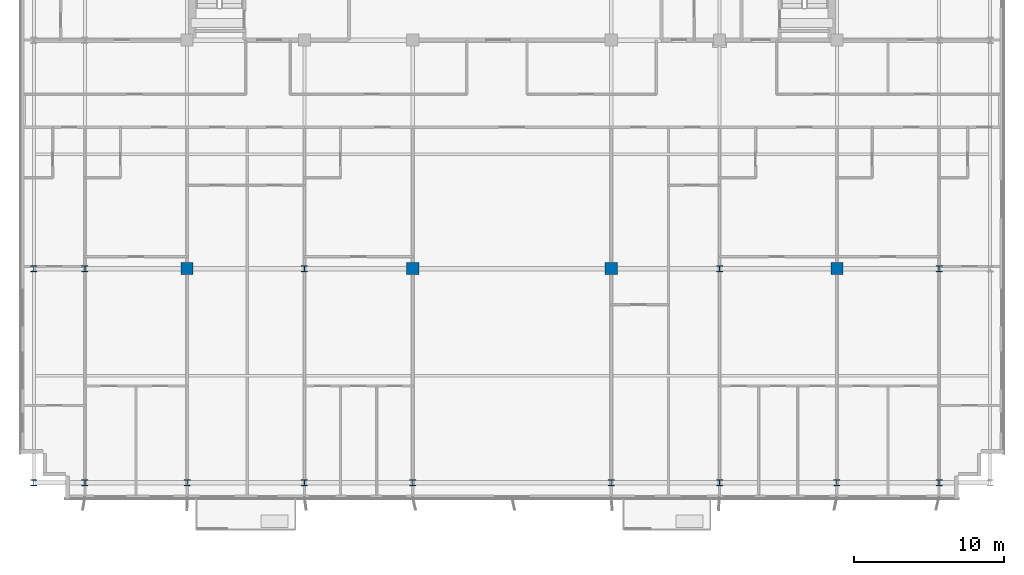
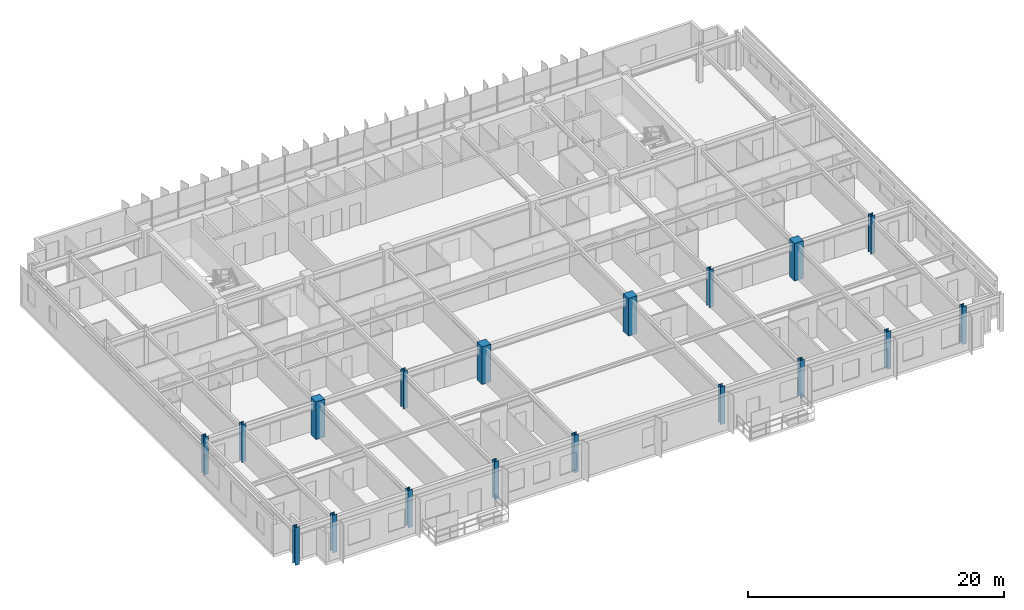
# One storey, part 1 of 22: 18 columns.
"""IFC4 building model written with IfcOpenShell, lengths in metres."""

from ifc_helpers import new_model, si_unit, direction, frame, origin, origin_2d, place, context, subcontext, project, spatial, rectangle, i_section, extrude, source, transform, mapped, material, material_profile, profile_set, type_object, element, save


model = new_model("IFC4")

# Units and contexts
model_context = context("Model", 3, precision=1e-05, world=origin(), true_north=direction((0.0, 1.0)))
body_context = subcontext(model_context, "Body", "Model", "MODEL_VIEW")
ifc_project = project(units=[si_unit("LENGTHUNIT", "METRE"), si_unit("AREAUNIT", "SQUARE_METRE"), si_unit("VOLUMEUNIT", "CUBIC_METRE"), si_unit("PLANEANGLEUNIT", "RADIAN"), si_unit("MASSUNIT", "GRAM", prefix="KILO")], contexts=[model_context])

# Site, building, storey
site_placement = place(None, origin())
site = spatial("IfcSite", under=ifc_project, at=site_placement, CompositionType="ELEMENT")
building_placement = place(site_placement, origin())
building = spatial("IfcBuilding", under=site, at=building_placement, Name="Trelvane Seafront Commons", CompositionType="ELEMENT")
storey_placement = place(building_placement, frame((0.0, 0.0, 92.5)))
storey = spatial("IfcBuildingStorey", under=building, at=storey_placement, Name="L23", CompositionType="ELEMENT", Elevation=92.5)

# Columns
ifc_material_1 = material(Name="Steel SM355 (S355)", Category="steel")
ifc_material_profile_1 = material_profile(ifc_material_1, i_section(OverallWidth=0.39990234375, OverallDepth=0.39990234375, WebThickness=0.02197265625, FlangeThickness=0.034912109375, at=origin_2d()), Name="HD-400x400x22x35")
ifc_profile_set_1 = profile_set([ifc_material_profile_1], Name="Steel SM355 (S355)")
column_type_1 = type_object("IfcColumnType", Name="STR-COL-HD400", PredefinedType="COLUMN", material=ifc_profile_set_1)
shared_shape_1 = source(origin(), body_context, "Body", "SweptSolid", [
    extrude(i_section(OverallWidth=0.39990234375, OverallDepth=0.39990234375, WebThickness=0.02197265625, FlangeThickness=0.034912109375, at=origin_2d()), origin(), (0.0, 0.0, 1.0), 3.60009765625),
])
for number, where, z_axis, x_axis, name in (
    (1, (5.39990234375, 3.949951171875, 0.0), (0.0, 0.0, 1.0), (1.0, 0.0, 0.0), "L23 Column TC-S5.4"),
    (2, (5.39990234375, 18.199951171875, 0.0), (0.0, 0.0, 1.0), (1.0, 0.0, 0.0), "L23 Column TC-M5.4"),
    (3, (8.800048828125, 3.949951171875, 0.0), (0.0, 0.0, 1.0), (1.0, 0.0, 0.0), "L23 Column TC-S8.8"),
    (4, (8.800048828125, 18.199951171875, 0.0), (0.0, 0.0, 1.0), (1.0, 0.0, 0.0), "L23 Column TC-M8.8"),
    (5, (15.60009765625, 3.949951171875, 0.0), (0.0, 0.0, 1.0), (1.0, 0.0, 0.0), "L23 Column TC-S15.6"),
    (6, (23.39990234375, 3.949951171875, 0.0), (0.0, 0.0, 1.0), (1.0, 0.0, 0.0), "L23 Column TC-S23.4"),
    (7, (23.39990234375, 18.199951171875, 0.0), (0.0, 0.0, 1.0), (1.0, 0.0, 0.0), "L23 Column TC-M23.4"),
    (8, (30.60009765625, 3.949951171875, 0.0), (0.0, 0.0, 1.0), (1.0, 0.0, 0.0), "L23 Column TC-S30.6"),
    (9, (43.800048828125, 3.949951171875, 0.0), (0.0, 0.0, 1.0), (1.0, 0.0, 0.0), "L23 Column TC-S43.8"),
    (10, (51.0, 3.949951171875, 0.0), (0.0, 0.0, 1.0), (1.0, 0.0, 0.0), "L23 Column TC-S51.0"),
    (11, (51.0, 18.199951171875, 0.0), (0.0, 0.0, 1.0), (1.0, 0.0, 0.0), "L23 Column TC-M51.0"),
    (12, (58.800048828125, 3.949951171875, 0.0), (0.0, 0.0, 1.0), (1.0, 0.0, 0.0), "L23 Column TC-S58.8"),
    (13, (65.60009765625, 3.949951171875, 0.0), (0.0, 0.0, 1.0), (1.0, 0.0, 0.0), "L23 Column TC-S65.6"),
    (14, (65.60009765625, 18.199951171875, 0.0), (0.0, 0.0, 1.0), (1.0, 0.0, 0.0), "L23 Column TC-M65.6"),
):
    element("IfcColumn", number, at=place(storey_placement, frame(where, z_axis=z_axis, x_axis=x_axis)), inside=storey, type_object=column_type_1, Name=name, PredefinedType="COLUMN", context=body_context, shape_type="MappedRepresentation", body=[
        mapped(shared_shape_1, transform((0.0, 0.0, 0.0), x_axis=(1.0, 0.0, 0.0), y_axis=(0.0, 1.0, 0.0), z_axis=(0.0, 0.0, 1.0), scale=1.0)),
    ])
ifc_material_2 = material(Name="Concrete C60/75", Category="concrete")
ifc_material_profile_2 = material_profile(ifc_material_2, rectangle(XDim=0.800048828125, YDim=0.800048828125, at=origin_2d()), Name="RC-800x800")
ifc_profile_set_2 = profile_set([ifc_material_profile_2], Name="Concrete C60/75")
column_type_2 = type_object("IfcColumnType", Name="STR-COL-RC800", PredefinedType="COLUMN", material=ifc_profile_set_2)
shared_shape_2 = source(origin(), body_context, "Body", "SweptSolid", [
    extrude(rectangle(XDim=0.800048828125, YDim=0.800048828125, at=origin_2d()), origin(), (0.0, 0.0, 1.0), 3.60009765625),
])
for number, where, z_axis, x_axis, name in (
    (15, (15.60009765625, 18.199951171875, 0.0), (0.0, 0.0, 1.0), (1.0, 0.0, 0.0), "L23 Column TC-M15.6"),
    (16, (30.60009765625, 18.199951171875, 0.0), (0.0, 0.0, 1.0), (1.0, 0.0, 0.0), "L23 Column TC-M30.6"),
    (17, (43.800048828125, 18.199951171875, 0.0), (0.0, 0.0, 1.0), (1.0, 0.0, 0.0), "L23 Column TC-M43.8"),
    (18, (58.800048828125, 18.199951171875, 0.0), (0.0, 0.0, 1.0), (1.0, 0.0, 0.0), "L23 Column TC-M58.8"),
):
    element("IfcColumn", number, at=place(storey_placement, frame(where, z_axis=z_axis, x_axis=x_axis)), inside=storey, type_object=column_type_2, Name=name, PredefinedType="COLUMN", context=body_context, shape_type="MappedRepresentation", body=[
        mapped(shared_shape_2, transform((0.0, 0.0, 0.0), x_axis=(1.0, 0.0, 0.0), y_axis=(0.0, 1.0, 0.0), z_axis=(0.0, 0.0, 1.0), scale=1.0)),
    ])

save(model, "model.ifc")
